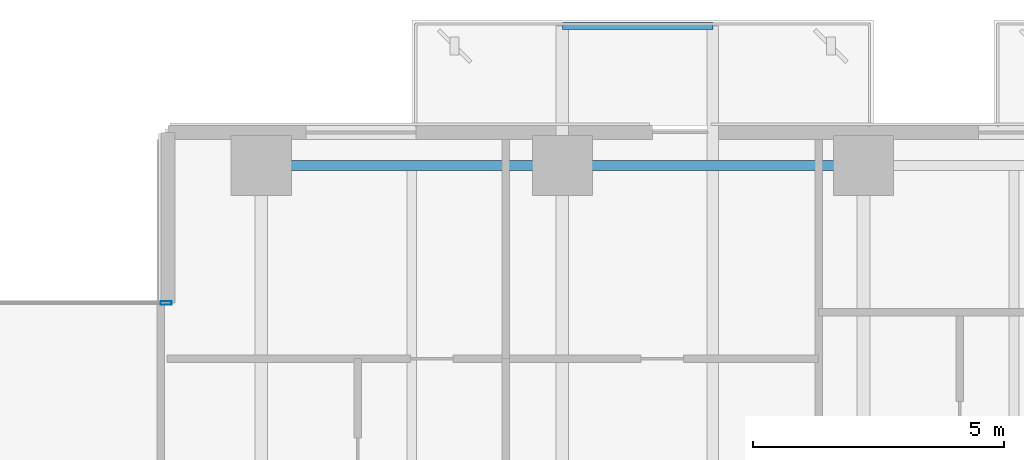
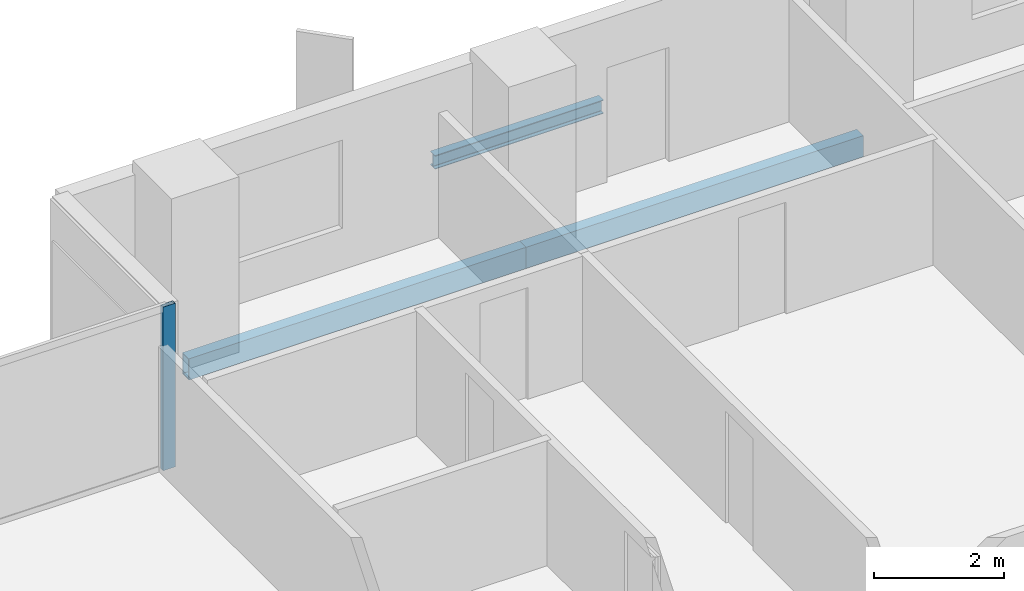
# One storey, part 11 of 33: 3 beams, 1 member, 1 element without a shape of its own.
"""IFC4 building model written with IfcOpenShell, lengths in metres."""

from ifc_helpers import new_model, si_unit, direction, frame, origin, origin_2d, place, context, subcontext, project, spatial, hollow_rectangle, i_section, extrude, material, layer, layer_set, material_profile, profile_set, type_object, element, aggregate, save


model = new_model("IFC4")

# Units and contexts
model_context = context("Model", 3, precision=1e-05, world=origin(), true_north=direction((0.0, 1.0)))
body_context = subcontext(model_context, "Body", "Model", "MODEL_VIEW")
ifc_project = project(units=[si_unit("LENGTHUNIT", "METRE"), si_unit("AREAUNIT", "SQUARE_METRE"), si_unit("VOLUMEUNIT", "CUBIC_METRE"), si_unit("PLANEANGLEUNIT", "RADIAN"), si_unit("MASSUNIT", "GRAM", prefix="KILO")], contexts=[model_context])

# Site, building, storey
site_placement = place(None, origin())
site = spatial("IfcSite", under=ifc_project, at=site_placement, CompositionType="ELEMENT")
building_placement = place(site_placement, origin())
building = spatial("IfcBuilding", under=site, at=building_placement, Name="Tanjung Sevakor Pilgrim Tower", CompositionType="ELEMENT")
storey_placement = place(building_placement, frame((0.0, 0.0, 35.639892578125)))
storey = spatial("IfcBuildingStorey", under=building, at=storey_placement, Name="L09", CompositionType="ELEMENT", Elevation=35.639892578125)

# Beams
ifc_material_1 = material(Name="Steel S355J2", Category="steel")
ifc_material_profile_1 = material_profile(ifc_material_1, i_section(OverallWidth=0.146484375, OverallDepth=0.256103515625, WebThickness=0.00634765625, FlangeThickness=0.010986328125, FilletRadius=0.007568359375, at=origin_2d()))
ifc_profile_set_1 = profile_set([ifc_material_profile_1], Name="Steel S355J2")
beam_type_1 = type_object("IfcBeamType", Name="BM-B-J6-UB_254x146x37", PredefinedType="JOIST", material=ifc_profile_set_1)
beam_placement = place(storey_placement, frame((60.0, 61.580078125, -0.327880859375), z_axis=(1.0, 0.0, 0.0), x_axis=(0.0, 1.0, 0.0)))
element("IfcBeam", 1, at=beam_placement, inside=storey, type_object=beam_type_1, Name="L09 Balcony Rim Tie MAIN-N2", PredefinedType="JOIST", context=body_context, shape_type="SweptSolid", body=[
    extrude(i_section(OverallWidth=0.146484375, OverallDepth=0.256103515625, WebThickness=0.00634765625, FlangeThickness=0.010986328125, FilletRadius=0.007568359375, at=origin_2d()), origin(), (0.0, 0.0, 1.0), 3.0),
])
ifc_material_2 = material(Name="Steel S355J2", Category="steel")
ifc_material_profile_2 = material_profile(ifc_material_2, hollow_rectangle(XDim=0.199951171875, YDim=0.39990234375, WallThickness=0.01611328125, at=origin_2d()))
ifc_profile_set_2 = profile_set([ifc_material_profile_2], Name="Steel S355J2")
beam_type_2 = type_object("IfcBeamType", Name="BM-B-SP2-RHS_400x200x16", PredefinedType="SPANDREL", material=ifc_profile_set_2)
for number, where, z_axis, x_axis, name in (
    (2, (54.0, 58.800048828125, -0.419921875), (1.0, 0.0, 0.0), (0.0, 1.0, 0.0), "L09 Spandrel MAIN N-08"),
    (3, (60.0, 58.800048828125, -0.419921875), (1.0, 0.0, 0.0), (0.0, 1.0, 0.0), "L09 Spandrel MAIN N-10"),
):
    element("IfcBeam", number, at=place(storey_placement, frame(where, z_axis=z_axis, x_axis=x_axis)), inside=storey, type_object=beam_type_2, Name=name, PredefinedType="SPANDREL", context=body_context, shape_type="SweptSolid", body=[
        extrude(hollow_rectangle(XDim=0.199951171875, YDim=0.39990234375, WallThickness=0.01611328125, at=origin_2d()), origin(), (0.0, 0.0, 1.0), 6.0),
    ])

# Curtain wall, member
ifc_material_3 = material(Name="Aluminium 6063-T6 and Low-E Glass", Category="aluminium")
ifc_layer = layer(ifc_material_3, 0.179931640625)
ifc_layer_set = layer_set([ifc_layer], Name="CW-SYS-CLEFT")
curtain_wall_type = type_object("IfcCurtainWallType", Name="CW-SYS-CLEFT", PredefinedType="NOTDEFINED", material=ifc_layer_set)
curtain_wall_placement = place(storey_placement, origin())
curtain_wall = element("IfcCurtainWall", 4, at=curtain_wall_placement, inside=storey, type_object=curtain_wall_type, Name="L09 Curtain Wall CW-CLF-L09-10", PredefinedType="NOTDEFINED")
ifc_material_4 = material(Name="Aluminium 6063-T6", Category="aluminium")
ifc_material_profile_3 = material_profile(ifc_material_4, hollow_rectangle(XDim=0.074951171875, YDim=0.219970703125, WallThickness=0.0048828125, at=origin_2d()))
ifc_profile_set_3 = profile_set([ifc_material_profile_3], Name="Aluminium 6063-T6")
member_type = type_object("IfcMemberType", Name="TYPE-CWM-2", PredefinedType="MULLION", material=ifc_profile_set_3)
member_placement = place(storey_placement, frame((52.1025390625, 56.06005859375, 0.0), z_axis=(0.0, 0.0, 1.0), x_axis=(0.0, -1.0, 0.0)))
member = element("IfcMember", 5, at=member_placement, type_object=member_type, Name="CW-CLF mullion 1", PredefinedType="MULLION", context=body_context, shape_type="SweptSolid", body=[
    extrude(hollow_rectangle(XDim=0.074951171875, YDim=0.219970703125, WallThickness=0.0048828125, at=origin_2d()), origin(), (0.0, 0.0, 1.0), 3.080078125),
])
aggregate(curtain_wall, [member])

save(model, "model.ifc")
